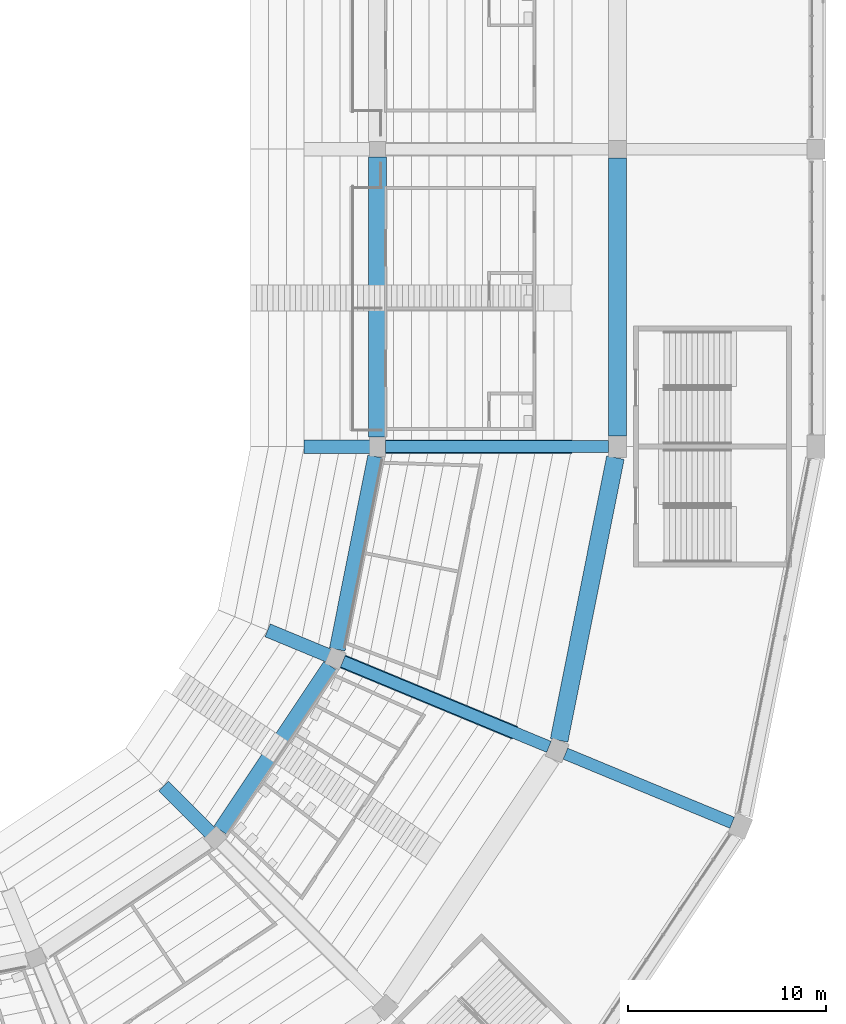
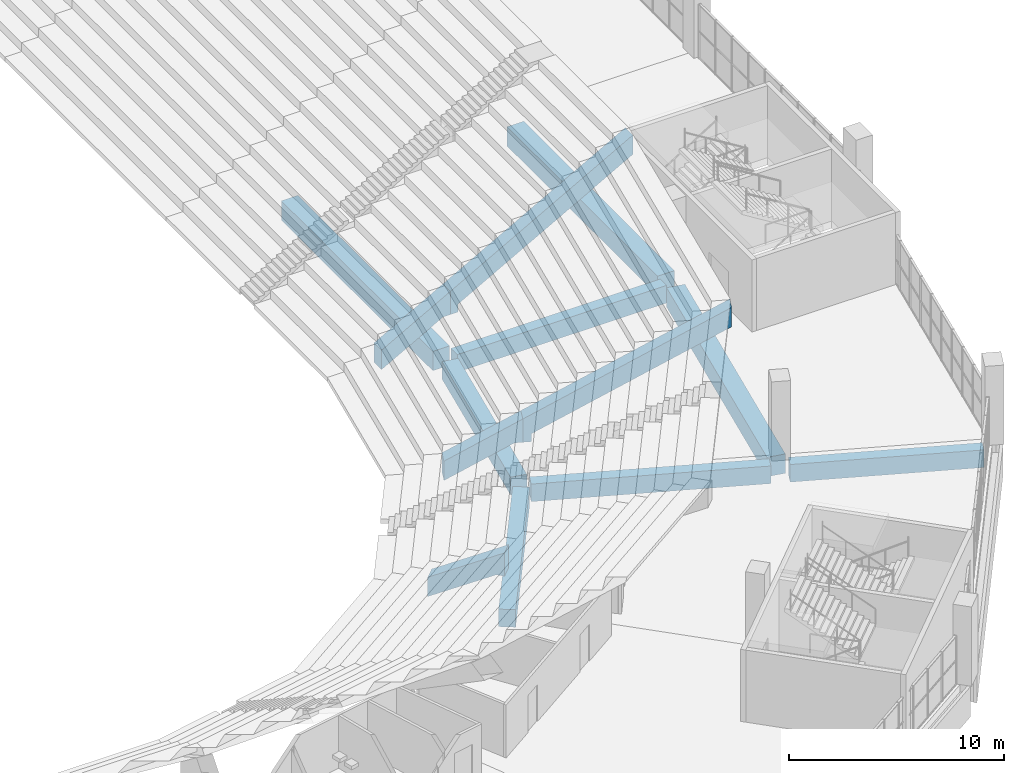
# One storey, part 30 of 249: 13 beams.
"""IFC4 building model written with IfcOpenShell, lengths in metres."""

from ifc_helpers import new_model, si_unit, direction, frame, origin, origin_2d, place, context, subcontext, project, spatial, polyline, rectangle, outline, extrude, material, material_profile, profile_set, type_object, element, save


model = new_model("IFC4")

# Units and contexts
model_context = context("Model", 3, precision=1e-05, world=origin(), true_north=direction((0.0, 1.0)))
body_context = subcontext(model_context, "Body", "Model", "MODEL_VIEW")
ifc_project = project(units=[si_unit("LENGTHUNIT", "METRE"), si_unit("AREAUNIT", "SQUARE_METRE"), si_unit("VOLUMEUNIT", "CUBIC_METRE"), si_unit("PLANEANGLEUNIT", "RADIAN"), si_unit("MASSUNIT", "GRAM", prefix="KILO")], contexts=[model_context])

# Site, building, storey
site_placement = place(None, origin())
site = spatial("IfcSite", under=ifc_project, at=site_placement, CompositionType="ELEMENT")
building_placement = place(site_placement, origin())
building = spatial("IfcBuilding", under=site, at=building_placement, Name="Ogive Plaza Stadium", CompositionType="ELEMENT")
storey_placement = place(building_placement, frame((0.0, 0.0, 13.5)))
storey = spatial("IfcBuildingStorey", under=building, at=storey_placement, Name="L03", CompositionType="ELEMENT", Elevation=13.5)

# Beams
ifc_material_1 = material(Name="Concrete C45/55 precast", Category="concrete")
ifc_material_profile_1 = material_profile(ifc_material_1, rectangle(XDim=0.699951171875, YDim=1.10009765625, at=origin_2d()), Name="RC 700x1100")
ifc_profile_set_1 = profile_set([ifc_material_profile_1], Name="Concrete C45/55 precast")
beam_type_1 = type_object("IfcBeamType", Name="Precast raker UT back-span 700x1100", PredefinedType="USERDEFINED", material=ifc_profile_set_1)
for number, where, z_axis, x_axis, name in (
    (1, (34.0, -52.5, -13.5), (0.0, 0.0, 1.0), (1.0, 0.0, 0.0), "RAKER UT BACK-SPAN R08"),
    (2, (34.0, -52.5, -13.5), (0.0, 0.0, 1.0), (0.923879532511, -0.382683432365, 0.0), "RAKER UT BACK-SPAN R09"),
):
    element("IfcBeam", number, at=place(storey_placement, frame(where, z_axis=z_axis, x_axis=x_axis)), inside=storey, type_object=beam_type_1, Name=name, ObjectType="RAKER", PredefinedType="USERDEFINED", context=body_context, shape_type="SweptSolid", body=[
        extrude(outline(polyline([(27.89990234375, 15.533203125), (28.300048828125, 15.533203125), (28.300048828125, 15.977783203125), (37.699951171875, 21.199951171875), (37.699951171875, 22.300048828125), (27.89990234375, 16.855712890625), (27.89990234375, 15.533203125)])), frame((0.0, 0.35009765625, 0.0), z_axis=(0.0, -1.0, 0.0), x_axis=(1.0, 0.0, 0.0)), (0.0, 0.0, 1.0), 0.699951171875),
    ])
ifc_material_2 = material(Name="Concrete C45/55 precast", Category="concrete")
ifc_material_profile_2 = material_profile(ifc_material_2, rectangle(XDim=0.699951171875, YDim=1.10009765625, at=origin_2d()), Name="RC 700x1100")
ifc_profile_set_2 = profile_set([ifc_material_profile_2], Name="Concrete C45/55 precast")
beam_type_2 = type_object("IfcBeamType", Name="Precast raker UT cantilever 700x1100", PredefinedType="USERDEFINED", material=ifc_profile_set_2)
for number, where, z_axis, x_axis, name in (
    (3, (34.0, -52.5, -13.5), (0.0, 0.0, 1.0), (1.0, 0.0, 0.0), "RAKER UT CANTILEVER R08"),
    (4, (34.0, -52.5, -13.5), (0.0, 0.0, 1.0), (0.923879532511, -0.382683432365, 0.0), "RAKER UT CANTILEVER R09"),
    (5, (34.0, -52.5, -13.5), (0.0, 0.0, 1.0), (0.707106781187, -0.707106781187, 0.0), "RAKER UT CANTILEVER R10"),
):
    element("IfcBeam", number, at=place(storey_placement, frame(where, z_axis=z_axis, x_axis=x_axis)), inside=storey, type_object=beam_type_2, Name=name, ObjectType="RAKER", PredefinedType="USERDEFINED", context=body_context, shape_type="SweptSolid", body=[
        extrude(outline(polyline([(24.199951171875, 13.699951171875), (27.5, 15.533203125), (27.89990234375, 15.533203125), (27.89990234375, 16.855712890625), (24.199951171875, 14.800048828125), (24.199951171875, 13.699951171875)])), frame((0.0, 0.35009765625, 0.0), z_axis=(0.0, -1.0, 0.0), x_axis=(1.0, 0.0, 0.0)), (0.0, 0.0, 1.0), 0.699951171875),
    ])
ifc_material_3 = material(Name="Concrete C40/50", Category="concrete")
ifc_material_profile_3 = material_profile(ifc_material_3, rectangle(XDim=0.60009765625, YDim=1.0, at=origin_2d()), Name="RC 600x1000")
ifc_profile_set_3 = profile_set([ifc_material_profile_3], Name="Concrete C40/50")
beam_type_3 = type_object("IfcBeamType", Name="RC radial beam 600x1000", PredefinedType="BEAM", material=ifc_profile_set_3)
beam_1_placement = place(storey_placement, frame((62.300048828125, -52.5, -0.909912109375), z_axis=(1.0, 0.0, 0.0), x_axis=(0.0, 1.0, 0.0)))
element("IfcBeam", 6, at=beam_1_placement, inside=storey, type_object=beam_type_3, Name="Radial beam L03 R08 F3F4", PredefinedType="BEAM", context=body_context, shape_type="SweptSolid", body=[
    extrude(rectangle(XDim=0.60009765625, YDim=1.0, at=origin_2d()), origin(), (0.0, 0.0, 1.0), 11.25),
])
beam_2_placement = place(storey_placement, frame((60.145751953125, -63.329833984375, -0.909912109375), z_axis=(0.92388194159, -0.382677616283, 0.0), x_axis=(0.382677616283, 0.92388194159, 0.0)))
element("IfcBeam", 7, at=beam_2_placement, inside=storey, type_object=beam_type_3, Name="Radial beam L03 R09 F3F4", PredefinedType="BEAM", context=body_context, shape_type="SweptSolid", body=[
    extrude(rectangle(XDim=0.60009765625, YDim=1.0, at=origin_2d()), origin(), (0.0, 0.0, 1.0), 11.250244140625),
])
beam_3_placement = place(storey_placement, frame((71.370849609375, -67.9794921875, -0.909912109375), z_axis=(0.923882116707, -0.382677193504, 0.0), x_axis=(0.382677193504, 0.923882116707, 0.0)))
element("IfcBeam", 8, at=beam_3_placement, inside=storey, type_object=beam_type_3, Name="Radial beam L03 R09 F4F5", PredefinedType="BEAM", context=body_context, shape_type="SweptSolid", body=[
    extrude(rectangle(XDim=0.60009765625, YDim=1.0, at=origin_2d()), origin(), (0.0, 0.0, 1.0), 9.10009765625),
])
ifc_material_4 = material(Name="Concrete C40/50", Category="concrete")
ifc_material_profile_4 = material_profile(ifc_material_4, rectangle(XDim=0.800048828125, YDim=1.0, at=origin_2d()), Name="RC 800x1000")
ifc_profile_set_4 = profile_set([ifc_material_profile_4], Name="Concrete C40/50")
beam_type_4 = type_object("IfcBeamType", Name="RC ring beam 800x1000", PredefinedType="BEAM", material=ifc_profile_set_4)
beam_4_placement = place(storey_placement, frame((61.800537109375, -53.0, -0.909912109375), z_axis=(-0.195093456635, -0.980784656884, 0.0), x_axis=(0.980784656884, -0.195093456635, 0.0)))
element("IfcBeam", 9, at=beam_4_placement, inside=storey, type_object=beam_type_4, Name="Ring beam F3 L03 B08", PredefinedType="BEAM", context=body_context, shape_type="SweptSolid", body=[
    extrude(rectangle(XDim=0.800048828125, YDim=1.0, at=origin_2d()), origin(), (0.0, 0.0, 1.0), 9.91748046875),
])
beam_5_placement = place(storey_placement, frame((59.521240234375, -63.558349609375, -0.909912109375), z_axis=(-0.555570290949, -0.831469573595, 0.0), x_axis=(0.831469573595, -0.555570290949, 0.0)))
element("IfcBeam", 10, at=beam_5_placement, inside=storey, type_object=beam_type_4, Name="Ring beam F3 L03 B09", PredefinedType="BEAM", context=body_context, shape_type="SweptSolid", body=[
    extrude(rectangle(XDim=0.800048828125, YDim=1.0, at=origin_2d()), origin(), (0.0, 0.0, 1.0), 9.96826171875),
])
ifc_material_5 = material(Name="Concrete C40/50", Category="concrete")
ifc_material_profile_5 = material_profile(ifc_material_5, rectangle(XDim=0.89990234375, YDim=1.10009765625, at=origin_2d()), Name="RC 900x1100")
ifc_profile_set_5 = profile_set([ifc_material_profile_5], Name="Concrete C40/50")
beam_type_5 = type_object("IfcBeamType", Name="RC ring beam 900x1100", PredefinedType="BEAM", material=ifc_profile_set_5)
beam_6_placement = place(storey_placement, frame((74.0, -37.949951171875, -0.9599609375), z_axis=(0.0, -1.0, 0.0), x_axis=(1.0, 0.0, 0.0)))
element("IfcBeam", 11, at=beam_6_placement, inside=storey, type_object=beam_type_5, Name="Ring beam F4 L03 B07", PredefinedType="BEAM", context=body_context, shape_type="SweptSolid", body=[
    extrude(rectangle(XDim=0.89990234375, YDim=1.10009765625, at=origin_2d()), origin(), (0.0, 0.0, 1.0), 14.0),
])
beam_7_placement = place(storey_placement, frame((61.89990234375, -37.89990234375, -0.9599609375), z_axis=(0.0, -1.0, 0.0), x_axis=(1.0, 0.0, 0.0)))
element("IfcBeam", 12, at=beam_7_placement, inside=storey, type_object=beam_type_5, Name="Ring beam F3 L03 B07", PredefinedType="BEAM", context=body_context, shape_type="SweptSolid", body=[
    extrude(rectangle(XDim=0.89990234375, YDim=1.10009765625, at=origin_2d()), origin(), (0.0, 0.0, 1.0), 14.10009765625),
])
beam_8_placement = place(storey_placement, frame((73.890625, -53.050048828125, -0.9599609375), z_axis=(-0.195088957992, -0.980785551724, 0.0), x_axis=(0.980785551724, -0.195088957992, 0.0)))
element("IfcBeam", 13, at=beam_8_placement, inside=storey, type_object=beam_type_5, Name="Ring beam F4 L03 B08", PredefinedType="BEAM", context=body_context, shape_type="SweptSolid", body=[
    extrude(rectangle(XDim=0.89990234375, YDim=1.10009765625, at=origin_2d()), origin(), (0.0, 0.0, 1.0), 14.53662109375),
])

save(model, "model.ifc")
